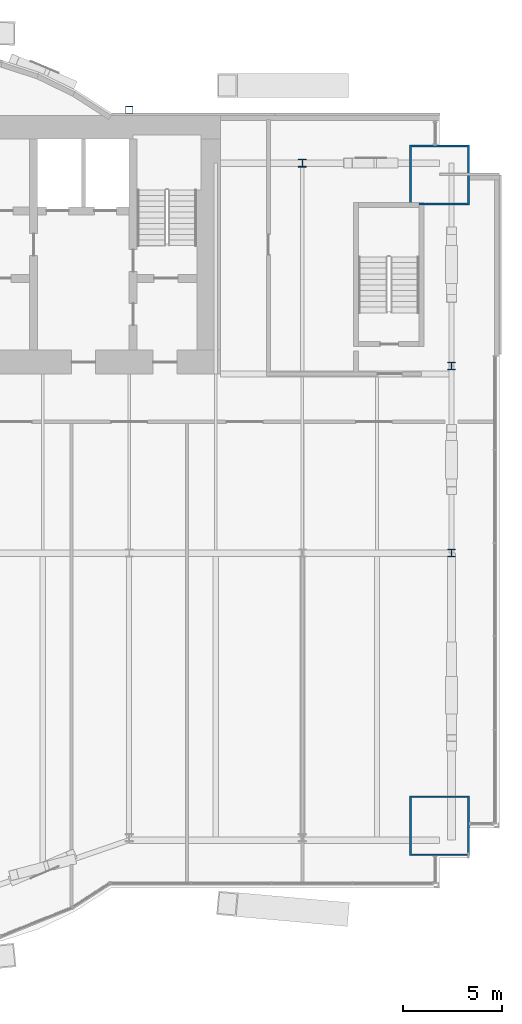
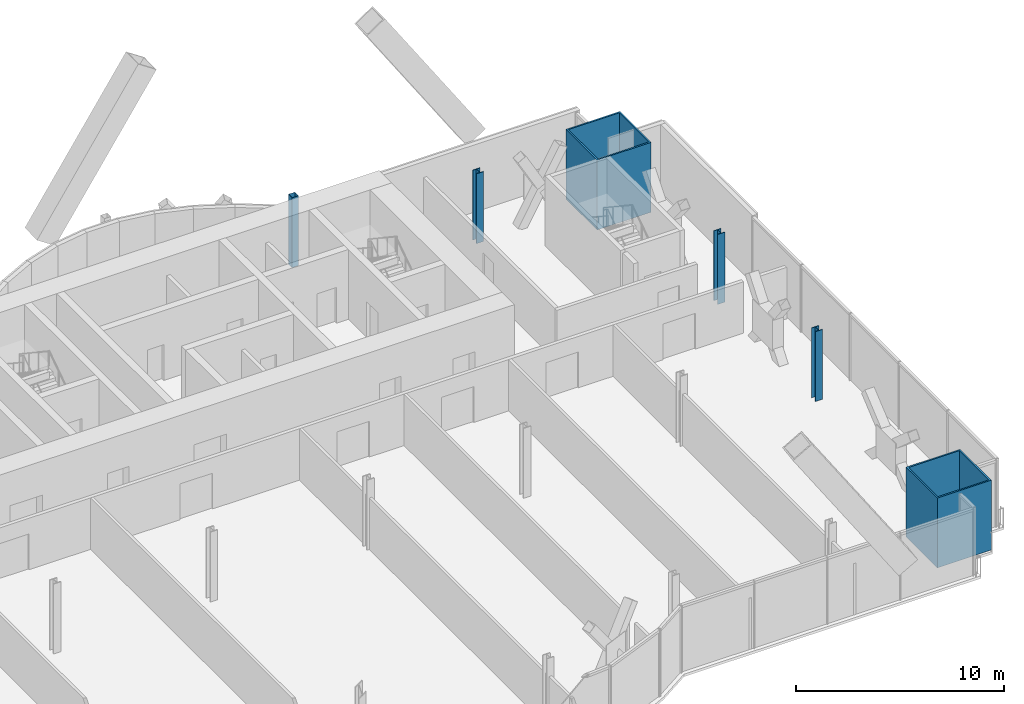
# One storey, part 3 of 22: 6 columns.
"""IFC4 building model written with IfcOpenShell, lengths in metres."""

from ifc_helpers import new_model, si_unit, direction, frame, origin, origin_2d, place, context, subcontext, project, spatial, hollow_rectangle, i_section, extrude, material, material_profile, profile_set, type_object, element, save


model = new_model("IFC4")

# Units and contexts
model_context = context("Model", 3, precision=1e-05, world=origin(), true_north=direction((0.0, 1.0)))
body_context = subcontext(model_context, "Body", "Model", "MODEL_VIEW")
ifc_project = project(units=[si_unit("LENGTHUNIT", "METRE"), si_unit("AREAUNIT", "SQUARE_METRE"), si_unit("VOLUMEUNIT", "CUBIC_METRE"), si_unit("PLANEANGLEUNIT", "RADIAN"), si_unit("MASSUNIT", "GRAM", prefix="KILO")], contexts=[model_context])

# Site, building, storey
site_placement = place(None, origin())
site = spatial("IfcSite", under=ifc_project, at=site_placement, CompositionType="ELEMENT")
building_placement = place(site_placement, origin())
building = spatial("IfcBuilding", under=site, at=building_placement, Name="Bicima Exchange Tower", CompositionType="ELEMENT")
storey_placement = place(building_placement, frame((0.0, 0.0, 94.0)))
storey = spatial("IfcBuildingStorey", under=building, at=storey_placement, Name="L19", CompositionType="ELEMENT", Elevation=94.0)

# Columns
ifc_material_1 = material(Name="Steel ASTM A572 Gr 50", Category="steel")
ifc_material_profile_1 = material_profile(ifc_material_1, hollow_rectangle(XDim=3.0, YDim=3.0, WallThickness=0.090087890625, at=origin_2d()))
ifc_profile_set_1 = profile_set([ifc_material_profile_1], Name="Steel ASTM A572 Gr 50")
column_type_1 = type_object("IfcColumnType", Name="Mega column BOX 3000x3000x90", PredefinedType="COLUMN", material=ifc_profile_set_1)
for number, where, z_axis, x_axis, name in (
    (1, (33.0, -35.7060546875, 0.0), (0.0, 0.0, 1.0), (1.0, 0.0, 0.0), "Mega column mega+33.0f"),
    (2, (33.0, -3.0, 0.0), (0.0, 0.0, 1.0), (1.0, 0.0, 0.0), "Mega column mega+33.0r"),
):
    element("IfcColumn", number, at=place(storey_placement, frame(where, z_axis=z_axis, x_axis=x_axis)), inside=storey, type_object=column_type_1, Name=name, PredefinedType="COLUMN", context=body_context, shape_type="SweptSolid", body=[
        extrude(hollow_rectangle(XDim=3.0, YDim=3.0, WallThickness=0.090087890625, at=origin_2d()), origin(), (0.0, 0.0, 1.0), 4.10009765625),
    ])
ifc_material_2 = material(Name="Steel ASTM A992 Gr 50", Category="steel")
ifc_material_profile_2 = material_profile(ifc_material_2, i_section(OverallWidth=0.398681640625, OverallDepth=0.393798828125, WebThickness=0.022705078125, FlangeThickness=0.03662109375, at=origin_2d()))
ifc_profile_set_2 = profile_set([ifc_material_profile_2], Name="Steel ASTM A992 Gr 50")
column_type_2 = type_object("IfcColumnType", Name="Perimeter column W14x193", PredefinedType="COLUMN", material=ifc_profile_set_2)
for number, where, z_axis, x_axis, name in (
    (3, (26.10009765625, -2.39990234375, 0.0), (0.0, 0.0, 1.0), (1.0, 0.0, 0.0), "Perimeter column grav+26.1r"),
    (4, (33.60009765625, -12.60009765625, 0.0), (0.0, 0.0, 1.0), (1.0, 0.0, 0.0), "End column end+33.6e"),
    (5, (33.60009765625, -22.0, 0.0), (0.0, 0.0, 1.0), (1.0, 0.0, 0.0), "End column end+33.6e"),
):
    element("IfcColumn", number, at=place(storey_placement, frame(where, z_axis=z_axis, x_axis=x_axis)), inside=storey, type_object=column_type_2, Name=name, PredefinedType="COLUMN", context=body_context, shape_type="SweptSolid", body=[
        extrude(i_section(OverallWidth=0.398681640625, OverallDepth=0.393798828125, WebThickness=0.022705078125, FlangeThickness=0.03662109375, at=origin_2d()), origin(), (0.0, 0.0, 1.0), 4.10009765625),
    ])
ifc_material_profile_3 = material_profile(ifc_material_1, hollow_rectangle(XDim=0.355712890625, YDim=0.355712890625, WallThickness=0.01171875, at=origin_2d()))
ifc_profile_set_3 = profile_set([ifc_material_profile_3], Name="Steel ASTM A572 Gr 50")
column_type_3 = type_object("IfcColumnType", Name="Rear pilaster HSS14x14x1/2", PredefinedType="COLUMN", material=ifc_profile_set_3)
column_placement = place(storey_placement, frame((17.39990234375, 0.278076171875, 0.0), z_axis=(0.0, 0.0, 1.0), x_axis=(1.0, 0.0, 0.0)))
element("IfcColumn", 6, at=column_placement, inside=storey, type_object=column_type_3, Name="Rear pilaster rexo+17.4r", PredefinedType="COLUMN", context=body_context, shape_type="SweptSolid", body=[
    extrude(hollow_rectangle(XDim=0.355712890625, YDim=0.355712890625, WallThickness=0.01171875, at=origin_2d()), origin(), (0.0, 0.0, 1.0), 4.10009765625),
])

save(model, "model.ifc")
